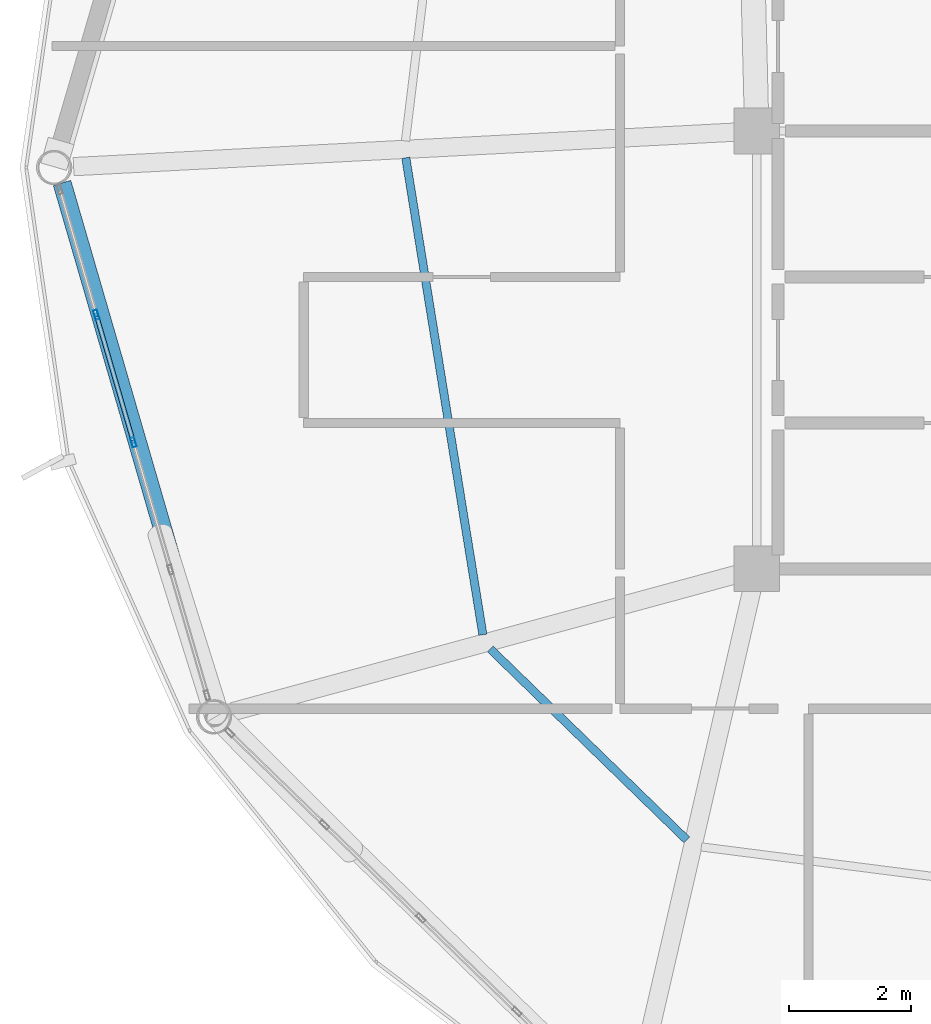
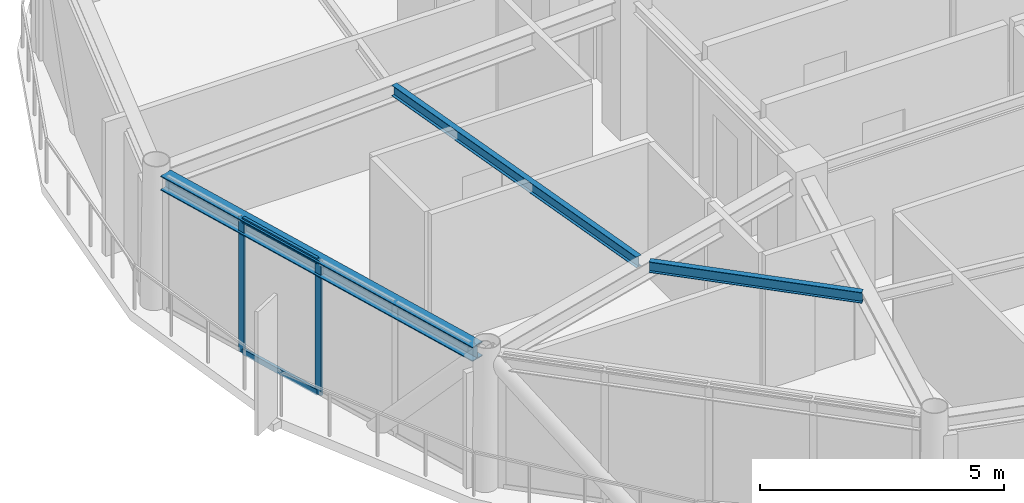
# One storey, part 5 of 27: 4 members, 3 beams, 1 element without a shape of its own.
"""IFC4 building model written with IfcOpenShell, lengths in metres."""

from ifc_helpers import new_model, si_unit, direction, frame, origin, origin_2d, place, context, subcontext, project, spatial, hollow_rectangle, i_section, extrude, material, layer, layer_set, material_profile, profile_set, type_object, element, aggregate, save


model = new_model("IFC4")

# Units and contexts
model_context = context("Model", 3, precision=1e-05, world=origin(), true_north=direction((0.0, 1.0)))
body_context = subcontext(model_context, "Body", "Model", "MODEL_VIEW")
ifc_project = project(units=[si_unit("LENGTHUNIT", "METRE"), si_unit("AREAUNIT", "SQUARE_METRE"), si_unit("VOLUMEUNIT", "CUBIC_METRE"), si_unit("PLANEANGLEUNIT", "RADIAN"), si_unit("MASSUNIT", "GRAM", prefix="KILO")], contexts=[model_context])

# Site, building, storey
site_placement = place(None, origin())
site = spatial("IfcSite", under=ifc_project, at=site_placement, CompositionType="ELEMENT")
building_placement = place(site_placement, origin())
building = spatial("IfcBuilding", under=site, at=building_placement, Name="Varnakorn Sky Granary", CompositionType="ELEMENT")
storey_placement = place(building_placement, frame((0.0, 0.0, 232.800048828125)))
storey = spatial("IfcBuildingStorey", under=building, at=storey_placement, Name="L59", CompositionType="ELEMENT", Elevation=232.800048828125)

# Beams
ifc_material_1 = material(Name="Steel S355JR", Category="steel")
ifc_material_profile_1 = material_profile(ifc_material_1, i_section(OverallWidth=0.135009765625, OverallDepth=0.27001953125, WebThickness=0.006591796875, FlangeThickness=0.01025390625, at=origin_2d()), Name="IPE 270")
ifc_profile_set_1 = profile_set([ifc_material_profile_1], Name="Steel S355JR")
beam_type_1 = type_object("IfcBeamType", Name="BM-SEC-Z5", PredefinedType="BEAM", material=ifc_profile_set_1)
beam_1_placement = place(storey_placement, frame((-8.121826171875, 0.159423828125, 3.224853515625), z_axis=(0.159583148436, -0.987184490729, 0.0), x_axis=(0.987184490729, 0.159583148436, 0.0)))
element("IfcBeam", 1, at=beam_1_placement, inside=storey, type_object=beam_type_1, Name="Secondary Floor Chord Beam MSB07 L59", PredefinedType="BEAM", context=body_context, shape_type="SweptSolid", body=[
    extrude(i_section(OverallWidth=0.135009765625, OverallDepth=0.27001953125, WebThickness=0.006591796875, FlangeThickness=0.01025390625, at=origin_2d()), origin(), (0.0, 0.0, 1.0), 7.944580078125),
])
beam_2_placement = place(storey_placement, frame((-6.731201171875, -7.919189453125, 3.224853515625), z_axis=(0.717198095154, -0.69686935096, 0.0), x_axis=(0.69686935096, 0.717198095154, 0.0)))
element("IfcBeam", 2, at=beam_2_placement, inside=storey, type_object=beam_type_1, Name="Secondary Floor Chord Beam MSB08 L59", PredefinedType="BEAM", context=body_context, shape_type="SweptSolid", body=[
    extrude(i_section(OverallWidth=0.135009765625, OverallDepth=0.27001953125, WebThickness=0.006591796875, FlangeThickness=0.01025390625, at=origin_2d()), origin(), (0.0, 0.0, 1.0), 4.503662109375),
])
ifc_material_profile_2 = material_profile(ifc_material_1, i_section(OverallWidth=0.300048828125, OverallDepth=0.360107421875, WebThickness=0.012451171875, FlangeThickness=0.0224609375, at=origin_2d()), Name="HE 360 B")
ifc_profile_set_2 = profile_set([ifc_material_profile_2], Name="Steel S355JR")
beam_type_2 = type_object("IfcBeamType", Name="BM-SPD-Z5", PredefinedType="SPANDREL", material=ifc_profile_set_2)
beam_3_placement = place(storey_placement, frame((-13.774169921875, -0.25390625, 3.179931640625), z_axis=(0.279152699023, -0.960246723831, 0.0), x_axis=(0.960246723831, 0.279152699023, 0.0)))
element("IfcBeam", 3, at=beam_3_placement, inside=storey, type_object=beam_type_2, Name="Perimeter Spandrel Ring Beam RB07 L59", PredefinedType="SPANDREL", context=body_context, shape_type="SweptSolid", body=[
    extrude(i_section(OverallWidth=0.300048828125, OverallDepth=0.360107421875, WebThickness=0.012451171875, FlangeThickness=0.0224609375, at=origin_2d()), origin(), (0.0, 0.0, 1.0), 8.86376953125),
])

# Curtain wall, members
ifc_material_2 = material(Name="Anodised Bronze Aluminium Alloy 6063-T6", Category="aluminium")
ifc_layer = layer(ifc_material_2, 0.169921875, Name="Anodised Bronze Aluminium Alloy 6063-T6")
ifc_layer_set = layer_set([ifc_layer], Name="Anodised Bronze Aluminium Alloy 6063-T6")
curtain_wall_type = type_object("IfcCurtainWallType", Name="CW-LAB-1", PredefinedType="USERDEFINED", material=ifc_layer_set)
curtain_wall_placement = place(storey_placement, origin())
curtain_wall = element("IfcCurtainWall", 4, at=curtain_wall_placement, inside=storey, type_object=curtain_wall_type, Name="Unitised Curtain Wall CW5 CW-L59-B07", ObjectType="CURTAIN WALL", PredefinedType="USERDEFINED")
ifc_material_profile_3 = material_profile(ifc_material_2, hollow_rectangle(XDim=0.06494140625, YDim=0.159912109375, WallThickness=0.00341796875, at=origin_2d()), Name="ALU MULL 65x160")
ifc_profile_set_3 = profile_set([ifc_material_profile_3], Name="Anodised Bronze Aluminium Alloy 6063-T6")
member_type_1 = type_object("IfcMemberType", Name="CW-LAB-1-MULL", PredefinedType="MULLION", material=ifc_profile_set_3)
member_1_placement = place(storey_placement, frame((-12.600341796875, -4.518310546875, 0.0), z_axis=(0.0, 0.0, 1.0), x_axis=(-0.960128537246, -0.27955892396, 0.0)))
member_1 = element("IfcMember", 5, at=member_1_placement, type_object=member_type_1, Name="CW5 mullion 3", PredefinedType="MULLION", context=body_context, shape_type="SweptSolid", body=[
    extrude(hollow_rectangle(XDim=0.06494140625, YDim=0.159912109375, WallThickness=0.00341796875, at=origin_2d()), origin(), (0.0, 0.0, 1.0), 3.35986328125),
])
member_2_placement = place(storey_placement, frame((-13.210693359375, -2.422119140625, 0.0), z_axis=(0.0, 0.0, 1.0), x_axis=(-0.960128537246, -0.27955892396, 0.0)))
member_2 = element("IfcMember", 6, at=member_2_placement, type_object=member_type_1, Name="CW5 mullion 4", PredefinedType="MULLION", context=body_context, shape_type="SweptSolid", body=[
    extrude(hollow_rectangle(XDim=0.06494140625, YDim=0.159912109375, WallThickness=0.00341796875, at=origin_2d()), origin(), (0.0, 0.0, 1.0), 3.35986328125),
])
ifc_material_profile_4 = material_profile(ifc_material_2, hollow_rectangle(XDim=0.070068359375, YDim=0.139892578125, WallThickness=0.00341796875, at=origin_2d()), Name="ALU TRAN 70x140")
ifc_profile_set_4 = profile_set([ifc_material_profile_4], Name="Anodised Bronze Aluminium Alloy 6063-T6")
member_type_2 = type_object("IfcMemberType", Name="CW-LAB-1-TRAN", PredefinedType="USERDEFINED", material=ifc_profile_set_4)
member_3_placement = place(storey_placement, frame((-12.609619140625, -4.487060546875, 0.034912109375), z_axis=(-0.279513092526, 0.960141880717, 0.0), x_axis=(-0.960141880717, -0.279513092526, 0.0)))
member_3 = element("IfcMember", 7, at=member_3_placement, type_object=member_type_2, Name="CW5 transom 3.1", ObjectType="TRANSOM", PredefinedType="USERDEFINED", context=body_context, shape_type="SweptSolid", body=[
    extrude(hollow_rectangle(XDim=0.070068359375, YDim=0.139892578125, WallThickness=0.00341796875, at=origin_2d()), origin(), (0.0, 0.0, 1.0), 2.1181640625),
])
member_4_placement = place(storey_placement, frame((-12.609619140625, -4.487060546875, 3.324951171875), z_axis=(-0.279513092526, 0.960141880717, 0.0), x_axis=(-0.960141880717, -0.279513092526, 0.0)))
member_4 = element("IfcMember", 8, at=member_4_placement, type_object=member_type_2, Name="CW5 transom 3.2", ObjectType="TRANSOM", PredefinedType="USERDEFINED", context=body_context, shape_type="SweptSolid", body=[
    extrude(hollow_rectangle(XDim=0.070068359375, YDim=0.139892578125, WallThickness=0.00341796875, at=origin_2d()), origin(), (0.0, 0.0, 1.0), 2.1181640625),
])
aggregate(curtain_wall, [member_1, member_2, member_3, member_4])

save(model, "model.ifc")
